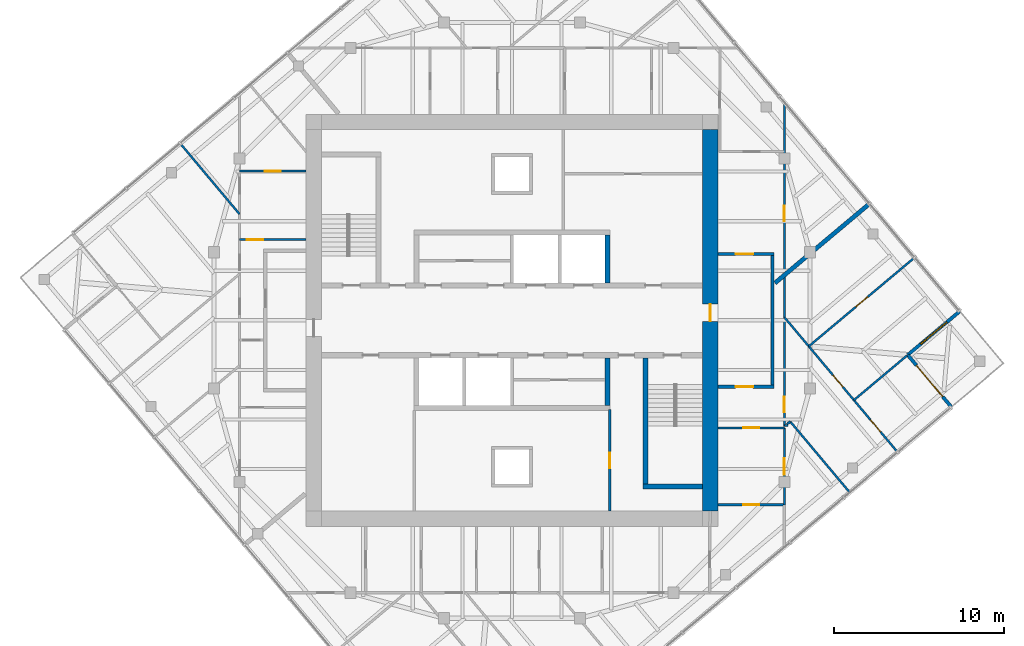
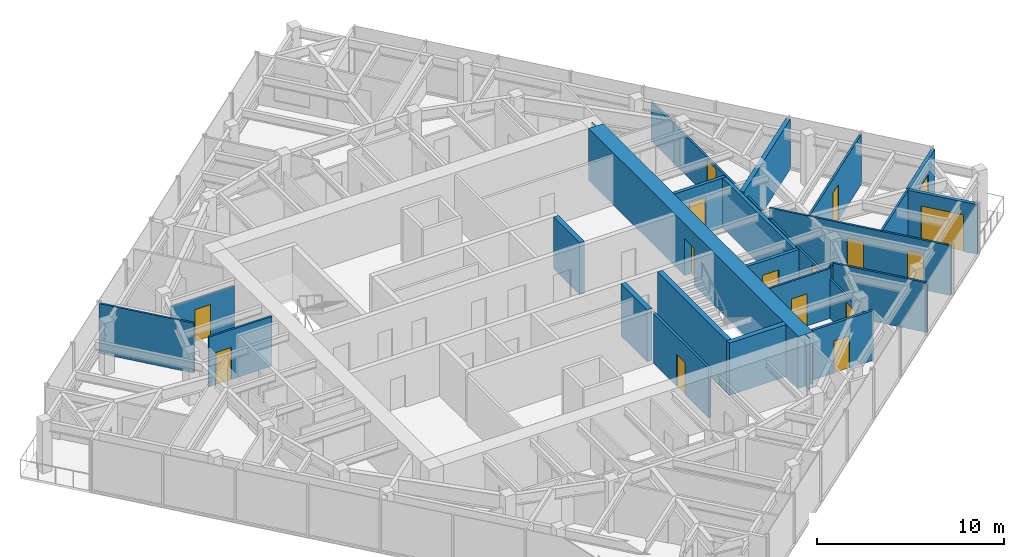
# One storey, part 9 of 12: 25 walls, 15 doors, 1 window, 16 openings.
"""IFC4 building model written with IfcOpenShell, lengths in metres."""

from ifc_helpers import new_model, si_unit, direction, frame, frame_2d, origin, place, context, subcontext, project, spatial, polyline, rectangle, outline, extrude, material, layer, layer_set, type_object, element, fill, save


model = new_model("IFC4")

# Units and contexts
model_context = context("Model", 3, precision=1e-05, world=origin(), true_north=direction((0.0, 1.0)))
body_context = subcontext(model_context, "Body", "Model", "MODEL_VIEW")
ifc_project = project(units=[si_unit("LENGTHUNIT", "METRE"), si_unit("AREAUNIT", "SQUARE_METRE"), si_unit("VOLUMEUNIT", "CUBIC_METRE"), si_unit("PLANEANGLEUNIT", "RADIAN"), si_unit("MASSUNIT", "GRAM", prefix="KILO")], contexts=[model_context])

# Site, building, storey
site_placement = place(None, origin())
site = spatial("IfcSite", under=ifc_project, at=site_placement, CompositionType="ELEMENT")
building_placement = place(site_placement, origin())
building = spatial("IfcBuilding", under=site, at=building_placement, Name="Torsade Residences", CompositionType="ELEMENT")
storey_placement = place(building_placement, frame((0.0, 0.0, 286.199951171875)))
storey = spatial("IfcBuildingStorey", under=building, at=storey_placement, Name="L79", CompositionType="ELEMENT", Elevation=286.199951171875)

# Walls
ifc_material_1 = material(Name="Concrete 80 MPa", Category="concrete")
ifc_layer_1 = layer(ifc_material_1, 0.300048828125)
ifc_layer_set_1 = layer_set([ifc_layer_1], Name="Concrete 80 MPa")
wall_type_1 = type_object("IfcWallType", Name="CORE INTERNAL WALL 300", PredefinedType="SHEAR", material=ifc_layer_set_1)
for number, where, z_axis, x_axis, name in (
    (1, (45.60009765625, 27.800048828125, 0.0), (0.0, 0.0, 1.0), (0.0, -1.0, 0.0), "Core wall DS0 L79"),
    (2, (45.60009765625, 32.199951171875, 0.0), (0.0, 0.0, 1.0), (0.0, 1.0, 0.0), "Core wall DN4 L79"),
):
    element("IfcWall", number, at=place(storey_placement, frame(where, z_axis=z_axis, x_axis=x_axis)), inside=storey, type_object=wall_type_1, Name=name, PredefinedType="SHEAR", context=body_context, shape_type="SweptSolid", body=[
        extrude(rectangle(XDim=2.800048828125, YDim=0.300048828125, at=frame_2d((1.39990234375, 0.0))), origin(), (0.0, 0.0, 1.0), 3.400146484375),
    ])
wall_1_placement = place(storey_placement, frame((47.85009765625, 27.800048828125, 0.0), z_axis=(0.0, 0.0, 1.0), x_axis=(0.0, -1.0, 0.0)))
element("IfcWall", 3, at=wall_1_placement, inside=storey, type_object=wall_type_1, Name="Core wall ST2W L79", PredefinedType="SHEAR", context=body_context, shape_type="SweptSolid", body=[
    extrude(rectangle(XDim=7.699951171875, YDim=0.300048828125, at=frame_2d((3.85009765625, 0.0))), origin(), (0.0, 0.0, 1.0), 3.400146484375),
])
wall_2_placement = place(storey_placement, frame((51.199951171875, 20.25, 0.0), z_axis=(0.0, 0.0, 1.0), x_axis=(-1.0, 0.0, 0.0)))
element("IfcWall", 4, at=wall_2_placement, inside=storey, type_object=wall_type_1, Name="Core wall ST2S L79", PredefinedType="SHEAR", context=body_context, shape_type="SweptSolid", body=[
    extrude(rectangle(XDim=3.5, YDim=0.300048828125, at=frame_2d((1.75, 0.0))), origin(), (0.0, 0.0, 1.0), 3.400146484375),
])

# Wall, opening, door
ifc_material_2 = material(Name="Concrete 80 MPa", Category="concrete")
ifc_layer_2 = layer(ifc_material_2, 0.89990234375)
ifc_layer_set_2 = layer_set([ifc_layer_2], Name="Concrete 80 MPa")
wall_type_2 = type_object("IfcWallType", Name="CORE WALL 900", PredefinedType="SHEAR", material=ifc_layer_set_2)
wall_3_placement = place(storey_placement, frame((51.64990234375, 18.800048828125, 0.0), z_axis=(0.0, 0.0, 1.0), x_axis=(0.0, 1.0, 0.0)))
wall_3 = element("IfcWall", 5, at=wall_3_placement, inside=storey, type_object=wall_type_2, Name="Core wall E L79", PredefinedType="SHEAR", context=body_context, shape_type="SweptSolid", body=[
    extrude(outline(polyline([(0.0, -0.449951171875), (22.39990234375, -0.449951171875), (22.39990234375, -0.02490234375), (22.849853515625, -0.02490234375), (22.849853515625, 0.02490234375), (22.39990234375, 0.02490234375), (22.39990234375, 0.449951171875), (0.0, 0.449951171875), (0.0, 0.02490234375), (-0.449951171875, 0.02490234375), (-0.449951171875, -0.02490234375), (0.0, -0.02490234375), (0.0, -0.449951171875)])), origin(), (0.0, 0.0, 1.0), 3.400146484375),
])
opening_1_placement = place(wall_3_placement, frame((11.139892578125, 0.0, 0.0)))
opening_1 = element("IfcOpeningElement", 6, at=opening_1_placement, cuts=wall_3, Name="Opening D04", PredefinedType="OPENING", context=body_context, shape_type="SweptSolid", body=[
    extrude(rectangle(XDim=1.02001953125, YDim=2.39990234375, at=frame_2d((0.510009765625, 1.199951171875))), frame((0.0, 0.4599609375, 0.0), z_axis=(0.0, -1.0, 0.0), x_axis=(1.0, 0.0, 0.0)), (0.0, 0.0, 1.0), 0.919921875),
])
ifc_material_3 = material(Name="Steel-framed fire door", Category="steel")
door_type_1 = type_object("IfcDoorType", Name="LOBBY SMOKE DOOR 1020x2400", OperationType="NOTDEFINED", PredefinedType="DOOR", material=ifc_material_3)
door_1_placement = place(opening_1_placement, origin())
door_1 = element("IfcDoor", 7, at=door_1_placement, inside=storey, type_object=door_type_1, Name="Lift lobby door E L79", OperationType="SINGLE_SWING_LEFT", OverallHeight=2.39990234375, OverallWidth=1.02001953125, PredefinedType="DOOR", context=body_context, shape_type="SweptSolid", body=[
    extrude(rectangle(XDim=1.02001953125, YDim=2.39990234375, at=frame_2d((0.510009765625, 1.199951171875))), frame((0.0, 0.02490234375, 0.0), z_axis=(0.0, -1.0, 0.0), x_axis=(1.0, 0.0, 0.0)), (0.0, 0.0, 1.0), 0.050048828125),
])
fill(opening_1, door_1)

# Wall
ifc_material_4 = material(Name="Plasterboard on steel stud", Category="steel")
ifc_layer_3 = layer(ifc_material_4, 0.199951171875)
ifc_layer_set_3 = layer_set([ifc_layer_3], Name="Plasterboard on steel stud")
wall_type_3 = type_object("IfcWallType", Name="CORRIDOR WALL 200", PredefinedType="PARTITIONING", material=ifc_layer_set_3)
wall_4_placement = place(storey_placement, frame((55.300048828125, 26.10009765625, 0.0), z_axis=(0.0, 0.0, 1.0), x_axis=(0.0, 1.0, 0.0)))
element("IfcWall", 8, at=wall_4_placement, inside=storey, type_object=wall_type_3, Name="Corridor wall L79", PredefinedType="PARTITIONING", context=body_context, shape_type="SweptSolid", body=[
    extrude(rectangle(XDim=7.7998046875, YDim=0.199951171875, at=frame_2d((3.89990234375, 0.0))), origin(), (0.0, 0.0, 1.0), 3.25),
])

# Wall, opening, door
wall_5_placement = place(storey_placement, frame((52.10009765625, 33.89990234375, 0.0), z_axis=(0.0, 0.0, 1.0), x_axis=(1.0, 0.0, 0.0)))
wall_5 = element("IfcWall", 9, at=wall_5_placement, inside=storey, type_object=wall_type_3, Name="Corridor wall L79", PredefinedType="PARTITIONING", context=body_context, shape_type="SweptSolid", body=[
    extrude(rectangle(XDim=3.2998046875, YDim=0.199951171875, at=frame_2d((1.64990234375, 0.0))), origin(), (0.0, 0.0, 1.0), 3.25),
])
opening_2_placement = place(wall_5_placement, frame((1.0400390625, 0.0, 0.0)))
opening_2 = element("IfcOpeningElement", 10, at=opening_2_placement, cuts=wall_5, Name="Opening D01", PredefinedType="OPENING", context=body_context, shape_type="SweptSolid", body=[
    extrude(rectangle(XDim=1.02001953125, YDim=2.340087890625, at=frame_2d((0.510009765625, 1.169921875))), frame((0.0, 0.10986328125, 0.0), z_axis=(0.0, -1.0, 0.0), x_axis=(1.0, 0.0, 0.0)), (0.0, 0.0, 1.0), 0.219970703125),
])
ifc_material_5 = material(Name="Solid-core timber fire door", Category="wood")
door_type_2 = type_object("IfcDoorType", Name="APARTMENT ENTRY DOOR 1020x2340", OperationType="NOTDEFINED", PredefinedType="DOOR", material=ifc_material_5)
door_2_placement = place(opening_2_placement, origin())
door_2 = element("IfcDoor", 11, at=door_2_placement, inside=storey, type_object=door_type_2, Name="Door Residential corridor to Kitchen and dining", OperationType="SINGLE_SWING_LEFT", OverallHeight=2.340087890625, OverallWidth=1.02001953125, PredefinedType="DOOR", context=body_context, shape_type="SweptSolid", body=[
    extrude(rectangle(XDim=1.02001953125, YDim=2.340087890625, at=frame_2d((0.510009765625, 1.169921875))), frame((0.0, 0.02490234375, 0.0), z_axis=(0.0, -1.0, 0.0), x_axis=(1.0, 0.0, 0.0)), (0.0, 0.0, 1.0), 0.050048828125),
])
fill(opening_2, door_2)

wall_6_placement = place(storey_placement, frame((52.10009765625, 26.10009765625, 0.0), z_axis=(0.0, 0.0, 1.0), x_axis=(1.0, 0.0, 0.0)))
wall_6 = element("IfcWall", 12, at=wall_6_placement, inside=storey, type_object=wall_type_3, Name="Corridor wall L79", PredefinedType="PARTITIONING", context=body_context, shape_type="SweptSolid", body=[
    extrude(rectangle(XDim=3.2998046875, YDim=0.199951171875, at=frame_2d((1.64990234375, 0.0))), origin(), (0.0, 0.0, 1.0), 3.25),
])
opening_3_placement = place(wall_6_placement, frame((1.0400390625, 0.0, 0.0)))
opening_3 = element("IfcOpeningElement", 13, at=opening_3_placement, cuts=wall_6, Name="Opening D01", PredefinedType="OPENING", context=body_context, shape_type="SweptSolid", body=[
    extrude(rectangle(XDim=1.02001953125, YDim=2.340087890625, at=frame_2d((0.510009765625, 1.169921875))), frame((0.0, 0.10986328125, 0.0), z_axis=(0.0, -1.0, 0.0), x_axis=(1.0, 0.0, 0.0)), (0.0, 0.0, 1.0), 0.219970703125),
])
door_3_placement = place(opening_3_placement, origin())
door_3 = element("IfcDoor", 14, at=door_3_placement, inside=storey, type_object=door_type_2, Name="Door Residential corridor to Kitchen and dining", OperationType="SINGLE_SWING_LEFT", OverallHeight=2.340087890625, OverallWidth=1.02001953125, PredefinedType="DOOR", context=body_context, shape_type="SweptSolid", body=[
    extrude(rectangle(XDim=1.02001953125, YDim=2.340087890625, at=frame_2d((0.510009765625, 1.169921875))), frame((0.0, 0.02490234375, 0.0), z_axis=(0.0, -1.0, 0.0), x_axis=(1.0, 0.0, 0.0)), (0.0, 0.0, 1.0), 0.050048828125),
])
fill(opening_3, door_3)

ifc_material_6 = material(Name="Plasterboard on steel stud", Category="steel")
ifc_layer_4 = layer(ifc_material_6, 0.1201171875)
ifc_layer_set_4 = layer_set([ifc_layer_4], Name="Plasterboard on steel stud")
wall_type_4 = type_object("IfcWallType", Name="PARTITION 120", PredefinedType="PARTITIONING", material=ifc_layer_set_4)
wall_7_placement = place(storey_placement, frame((56.0, 23.68115234375, 0.0), z_axis=(0.0, 0.0, 1.0), x_axis=(-1.0, 0.0, 0.0)))
wall_7 = element("IfcWall", 15, at=wall_7_placement, inside=storey, type_object=wall_type_4, Name="Partition L79", PredefinedType="PARTITIONING", context=body_context, shape_type="SweptSolid", body=[
    extrude(rectangle(XDim=3.89990234375, YDim=0.1201171875, at=frame_2d((1.949951171875, 0.0))), origin(), (0.0, 0.0, 1.0), 3.25),
])
opening_4_placement = place(wall_7_placement, frame((1.469970703125, 0.0, 0.0)))
opening_4 = element("IfcOpeningElement", 16, at=opening_4_placement, cuts=wall_7, Name="Opening D05", PredefinedType="OPENING", context=body_context, shape_type="SweptSolid", body=[
    extrude(rectangle(XDim=0.9599609375, YDim=2.10009765625, at=frame_2d((0.47998046875, 1.050048828125))), frame((0.0, 0.070068359375, 0.0), z_axis=(0.0, -1.0, 0.0), x_axis=(1.0, 0.0, 0.0)), (0.0, 0.0, 1.0), 0.14013671875),
])
ifc_material_7 = material(Name="Hollow-core timber door in a steel cavity frame", Category="steel")
door_type_3 = type_object("IfcDoorType", Name="BATHROOM CAVITY SLIDING DOOR 960", OperationType="SLIDING_TO_LEFT", PredefinedType="DOOR", material=ifc_material_7)
door_4_placement = place(opening_4_placement, origin())
door_4 = element("IfcDoor", 17, at=door_4_placement, inside=storey, type_object=door_type_3, Name="Door Kitchen and dining to Laundry", OperationType="SLIDING_TO_LEFT", OverallHeight=2.10009765625, OverallWidth=0.9599609375, PredefinedType="DOOR", context=body_context, shape_type="SweptSolid", body=[
    extrude(rectangle(XDim=0.9599609375, YDim=2.10009765625, at=frame_2d((0.47998046875, 1.050048828125))), frame((0.0, 0.02490234375, 0.0), z_axis=(0.0, -1.0, 0.0), x_axis=(1.0, 0.0, 0.0)), (0.0, 0.0, 1.0), 0.050048828125),
])
fill(opening_4, door_4)

# Wall, openings, doors
wall_8_placement = place(storey_placement, frame((56.0, 42.761962890625, 0.0), z_axis=(0.0, 0.0, 1.0), x_axis=(0.0, -1.0, 0.0)))
wall_8 = element("IfcWall", 18, at=wall_8_placement, inside=storey, type_object=wall_type_4, Name="Partition L79", PredefinedType="PARTITIONING", context=body_context, shape_type="SweptSolid", body=[
    extrude(rectangle(XDim=18.995361328125, YDim=0.1201171875, at=frame_2d((9.49755859375, 0.0))), origin(), (0.0, 0.0, 1.0), 2.550048828125),
])
opening_5_placement = place(wall_8_placement, frame((17.23779296875, 0.0, 0.0)))
opening_5 = element("IfcOpeningElement", 19, at=opening_5_placement, cuts=wall_8, Name="Opening D02", PredefinedType="OPENING", context=body_context, shape_type="SweptSolid", body=[
    extrude(rectangle(XDim=0.919921875, YDim=2.340087890625, at=frame_2d((0.4599609375, 1.169921875))), frame((0.0, 0.070068359375, 0.0), z_axis=(0.0, -1.0, 0.0), x_axis=(1.0, 0.0, 0.0)), (0.0, 0.0, 1.0), 0.14013671875),
])
opening_6_placement = place(wall_8_placement, frame((6.01708984375, 0.0, 0.0)))
opening_6 = element("IfcOpeningElement", 20, at=opening_6_placement, cuts=wall_8, Name="Opening D02", PredefinedType="OPENING", context=body_context, shape_type="SweptSolid", body=[
    extrude(rectangle(XDim=0.919921875, YDim=2.340087890625, at=frame_2d((0.4599609375, 1.169921875))), frame((0.0, 0.070068359375, 0.0), z_axis=(0.0, -1.0, 0.0), x_axis=(1.0, 0.0, 0.0)), (0.0, 0.0, 1.0), 0.14013671875),
])
ifc_material_8 = material(Name="Hollow-core timber door", Category="wood")
door_type_4 = type_object("IfcDoorType", Name="INTERNAL DOOR 920x2340", OperationType="NOTDEFINED", PredefinedType="DOOR", material=ifc_material_8)
door_5_placement = place(opening_5_placement, origin())
door_5 = element("IfcDoor", 21, at=door_5_placement, inside=storey, type_object=door_type_4, Name="Door Kitchen and dining to Bedroom 3", OperationType="SINGLE_SWING_RIGHT", OverallHeight=2.340087890625, OverallWidth=0.919921875, PredefinedType="DOOR", context=body_context, shape_type="SweptSolid", body=[
    extrude(rectangle(XDim=0.919921875, YDim=2.340087890625, at=frame_2d((0.4599609375, 1.169921875))), frame((0.0, 0.02490234375, 0.0), z_axis=(0.0, -1.0, 0.0), x_axis=(1.0, 0.0, 0.0)), (0.0, 0.0, 1.0), 0.050048828125),
])
fill(opening_5, door_5)
door_6_placement = place(opening_6_placement, origin())
door_6 = element("IfcDoor", 22, at=door_6_placement, inside=storey, type_object=door_type_4, Name="Door Kitchen and dining to Bedroom 3", OperationType="SINGLE_SWING_LEFT", OverallHeight=2.340087890625, OverallWidth=0.919921875, PredefinedType="DOOR", context=body_context, shape_type="SweptSolid", body=[
    extrude(rectangle(XDim=0.919921875, YDim=2.340087890625, at=frame_2d((0.4599609375, 1.169921875))), frame((0.0, 0.02490234375, 0.0), z_axis=(0.0, -1.0, 0.0), x_axis=(1.0, 0.0, 0.0)), (0.0, 0.0, 1.0), 0.050048828125),
])
fill(opening_6, door_6)

# Wall, opening, door
wall_9_placement = place(storey_placement, frame((56.0, 23.68115234375, 0.0), z_axis=(0.0, 0.0, 1.0), x_axis=(0.0, -1.0, 0.0)))
wall_9 = element("IfcWall", 23, at=wall_9_placement, inside=storey, type_object=wall_type_4, Name="Partition L79", PredefinedType="PARTITIONING", context=body_context, shape_type="SweptSolid", body=[
    extrude(rectangle(XDim=4.519287109375, YDim=0.1201171875, at=frame_2d((2.259765625, 0.0))), origin(), (0.0, 0.0, 1.0), 2.550048828125),
])
opening_7_placement = place(wall_9_placement, frame((1.779541015625, 0.0, 0.0)))
opening_7 = element("IfcOpeningElement", 24, at=opening_7_placement, cuts=wall_9, Name="Opening D05", PredefinedType="OPENING", context=body_context, shape_type="SweptSolid", body=[
    extrude(rectangle(XDim=0.9599609375, YDim=2.10009765625, at=frame_2d((0.47998046875, 1.050048828125))), frame((0.0, 0.070068359375, 0.0), z_axis=(0.0, -1.0, 0.0), x_axis=(1.0, 0.0, 0.0)), (0.0, 0.0, 1.0), 0.14013671875),
])
door_7_placement = place(opening_7_placement, origin())
door_7 = element("IfcDoor", 25, at=door_7_placement, inside=storey, type_object=door_type_3, Name="Door Laundry to Dining room", OperationType="SLIDING_TO_LEFT", OverallHeight=2.10009765625, OverallWidth=0.9599609375, PredefinedType="DOOR", context=body_context, shape_type="SweptSolid", body=[
    extrude(rectangle(XDim=0.9599609375, YDim=2.10009765625, at=frame_2d((0.47998046875, 1.050048828125))), frame((0.0, 0.02490234375, 0.0), z_axis=(0.0, -1.0, 0.0), x_axis=(1.0, 0.0, 0.0)), (0.0, 0.0, 1.0), 0.050048828125),
])
fill(opening_7, door_7)

# Wall, openings, doors
wall_10_placement = place(storey_placement, frame((62.631103515625, 22.28125, 0.0), z_axis=(0.0, 0.0, 1.0), x_axis=(-0.64277851249, 0.766052076481, 0.0)))
wall_10 = element("IfcWall", 26, at=wall_10_placement, inside=storey, type_object=wall_type_4, Name="Partition L79", PredefinedType="PARTITIONING", context=body_context, shape_type="SweptSolid", body=[
    extrude(rectangle(XDim=10.31640625, YDim=0.1201171875, at=frame_2d((5.158203125, 0.0))), origin(), (0.0, 0.0, 1.0), 3.25),
])
opening_8_placement = place(wall_10_placement, frame((4.96240234375, 0.0, 0.0)))
opening_8 = element("IfcOpeningElement", 27, at=opening_8_placement, cuts=wall_10, Name="Opening D02", PredefinedType="OPENING", context=body_context, shape_type="SweptSolid", body=[
    extrude(rectangle(XDim=0.919921875, YDim=2.340087890625, at=frame_2d((0.4599609375, 1.169921875))), frame((0.0, 0.070068359375, 0.0), z_axis=(0.0, -1.0, 0.0), x_axis=(1.0, 0.0, 0.0)), (0.0, 0.0, 1.0), 0.14013671875),
])
opening_9_placement = place(wall_10_placement, frame((1.52490234375, 0.0, 0.0)))
opening_9 = element("IfcOpeningElement", 28, at=opening_9_placement, cuts=wall_10, Name="Opening D02", PredefinedType="OPENING", context=body_context, shape_type="SweptSolid", body=[
    extrude(rectangle(XDim=0.919921875, YDim=2.340087890625, at=frame_2d((0.4599609375, 1.169921875))), frame((0.0, 0.070068359375, 0.0), z_axis=(0.0, -1.0, 0.0), x_axis=(1.0, 0.0, 0.0)), (0.0, 0.0, 1.0), 0.14013671875),
])
door_8_placement = place(opening_8_placement, origin())
door_8 = element("IfcDoor", 29, at=door_8_placement, inside=storey, type_object=door_type_4, Name="Door Bedroom 3 to Bedroom 2", OperationType="SINGLE_SWING_LEFT", OverallHeight=2.340087890625, OverallWidth=0.919921875, PredefinedType="DOOR", context=body_context, shape_type="SweptSolid", body=[
    extrude(rectangle(XDim=0.919921875, YDim=2.340087890625, at=frame_2d((0.4599609375, 1.169921875))), frame((0.0, 0.02490234375, 0.0), z_axis=(0.0, -1.0, 0.0), x_axis=(1.0, 0.0, 0.0)), (0.0, 0.0, 1.0), 0.050048828125),
])
fill(opening_8, door_8)
door_9_placement = place(opening_9_placement, origin())
door_9 = element("IfcDoor", 30, at=door_9_placement, inside=storey, type_object=door_type_4, Name="Door Bedroom 3 to Family room", OperationType="SINGLE_SWING_RIGHT", OverallHeight=2.340087890625, OverallWidth=0.919921875, PredefinedType="DOOR", context=body_context, shape_type="SweptSolid", body=[
    extrude(rectangle(XDim=0.919921875, YDim=2.340087890625, at=frame_2d((0.4599609375, 1.169921875))), frame((0.0, 0.02490234375, 0.0), z_axis=(0.0, -1.0, 0.0), x_axis=(1.0, 0.0, 0.0)), (0.0, 0.0, 1.0), 0.050048828125),
])
fill(opening_9, door_9)

# Wall, opening, door
wall_11_placement = place(storey_placement, frame((57.434326171875, 28.474609375, 0.0), z_axis=(0.0, 0.0, 1.0), x_axis=(0.766033729027, 0.642800378028, 0.0)))
wall_11 = element("IfcWall", 31, at=wall_11_placement, inside=storey, type_object=wall_type_4, Name="Partition L79", PredefinedType="PARTITIONING", context=body_context, shape_type="SweptSolid", body=[
    extrude(rectangle(XDim=8.0849609375, YDim=0.1201171875, at=frame_2d((4.04248046875, 0.0))), origin(), (0.0, 0.0, 1.0), 3.25),
])
opening_10_placement = place(wall_11_placement, frame((3.6025390625, 0.0, 0.0)))
opening_10 = element("IfcOpeningElement", 32, at=opening_10_placement, cuts=wall_11, Name="Opening D02", PredefinedType="OPENING", context=body_context, shape_type="SweptSolid", body=[
    extrude(rectangle(XDim=0.919921875, YDim=2.340087890625, at=frame_2d((0.4599609375, 1.169921875))), frame((0.0, 0.070068359375, 0.0), z_axis=(0.0, -1.0, 0.0), x_axis=(1.0, 0.0, 0.0)), (0.0, 0.0, 1.0), 0.14013671875),
])
door_10_placement = place(opening_10_placement, origin())
door_10 = element("IfcDoor", 33, at=door_10_placement, inside=storey, type_object=door_type_4, Name="Door Bedroom 2 to Bedroom 4", OperationType="SINGLE_SWING_LEFT", OverallHeight=2.340087890625, OverallWidth=0.919921875, PredefinedType="DOOR", context=body_context, shape_type="SweptSolid", body=[
    extrude(rectangle(XDim=0.919921875, YDim=2.340087890625, at=frame_2d((0.4599609375, 1.169921875))), frame((0.0, 0.02490234375, 0.0), z_axis=(0.0, -1.0, 0.0), x_axis=(1.0, 0.0, 0.0)), (0.0, 0.0, 1.0), 0.050048828125),
])
fill(opening_10, door_10)

# Walls
wall_12_placement = place(storey_placement, frame((63.215087890625, 27.9404296875, 0.0), z_axis=(0.0, 0.0, 1.0), x_axis=(-0.766036790562, -0.642796729538, 0.0)))
element("IfcWall", 34, at=wall_12_placement, inside=storey, type_object=wall_type_4, Name="Partition L79", PredefinedType="PARTITIONING", context=body_context, shape_type="SweptSolid", body=[
    extrude(rectangle(XDim=4.0849609375, YDim=0.1201171875, at=frame_2d((2.04248046875, 0.0))), origin(), (0.0, 0.0, 1.0), 3.25),
])
wall_13_placement = place(storey_placement, frame((59.81591796875, 19.9189453125, 0.0), z_axis=(0.0, 0.0, 1.0), x_axis=(-0.642773197476, 0.766056536168, 0.0)))
element("IfcWall", 35, at=wall_13_placement, inside=storey, type_object=wall_type_4, Name="Partition L79", PredefinedType="PARTITIONING", context=body_context, shape_type="SweptSolid", body=[
    extrude(rectangle(XDim=5.400390625, YDim=0.1201171875, at=frame_2d((2.7001953125, 0.0))), origin(), (0.0, 0.0, 1.0), 3.25),
])
wall_14_placement = place(storey_placement, frame((56.3447265625, 24.055908203125, 0.0), z_axis=(0.0, 0.0, 1.0), x_axis=(-0.766260492227, -0.642530044474, 0.0)))
element("IfcWall", 36, at=wall_14_placement, inside=storey, type_object=wall_type_4, Name="Partition L79", PredefinedType="PARTITIONING", context=body_context, shape_type="SweptSolid", body=[
    extrude(rectangle(XDim=0.224853515625, YDim=0.1201171875, at=frame_2d((0.1123046875, 0.0))), origin(), (0.0, 0.0, 1.0), 3.25),
])
wall_15_placement = place(storey_placement, frame((56.206787109375, 23.816650390625, 0.0), z_axis=(0.0, 0.0, 1.0), x_axis=(-1.0, 0.0, 0.0)))
element("IfcWall", 37, at=wall_15_placement, inside=storey, type_object=wall_type_4, Name="Partition L79", PredefinedType="PARTITIONING", context=body_context, shape_type="SweptSolid", body=[
    extrude(rectangle(XDim=0.206787109375, YDim=0.1201171875, at=frame_2d((0.103515625, 0.0))), origin(), (0.0, 0.0, 1.0), 3.25),
])

# Wall, opening, door
wall_16_placement = place(storey_placement, frame((24.0, 34.742431640625, 0.0), z_axis=(0.0, 0.0, 1.0), x_axis=(1.0, 0.0, 0.0)))
wall_16 = element("IfcWall", 38, at=wall_16_placement, inside=storey, type_object=wall_type_4, Name="Partition L79", PredefinedType="PARTITIONING", context=body_context, shape_type="SweptSolid", body=[
    extrude(rectangle(XDim=3.89990234375, YDim=0.1201171875, at=frame_2d((1.949951171875, 0.0))), origin(), (0.0, 0.0, 1.0), 3.25),
])
opening_11_placement = place(wall_16_placement, frame((0.419921875, 0.0, 0.0)))
opening_11 = element("IfcOpeningElement", 39, at=opening_11_placement, cuts=wall_16, Name="Opening D05", PredefinedType="OPENING", context=body_context, shape_type="SweptSolid", body=[
    extrude(rectangle(XDim=0.9599609375, YDim=2.10009765625, at=frame_2d((0.47998046875, 1.050048828125))), frame((0.0, 0.070068359375, 0.0), z_axis=(0.0, -1.0, 0.0), x_axis=(1.0, 0.0, 0.0)), (0.0, 0.0, 1.0), 0.14013671875),
])
door_11_placement = place(opening_11_placement, origin())
door_11 = element("IfcDoor", 40, at=door_11_placement, inside=storey, type_object=door_type_3, Name="Door Kitchen and dining to Laundry", OperationType="SLIDING_TO_LEFT", OverallHeight=2.10009765625, OverallWidth=0.9599609375, PredefinedType="DOOR", context=body_context, shape_type="SweptSolid", body=[
    extrude(rectangle(XDim=0.9599609375, YDim=2.10009765625, at=frame_2d((0.47998046875, 1.050048828125))), frame((0.0, 0.02490234375, 0.0), z_axis=(0.0, -1.0, 0.0), x_axis=(1.0, 0.0, 0.0)), (0.0, 0.0, 1.0), 0.050048828125),
])
fill(opening_11, door_11)

wall_17_placement = place(storey_placement, frame((27.89990234375, 38.762451171875, 0.0), z_axis=(0.0, 0.0, 1.0), x_axis=(-1.0, 0.0, 0.0)))
wall_17 = element("IfcWall", 41, at=wall_17_placement, inside=storey, type_object=wall_type_4, Name="Partition L79", PredefinedType="PARTITIONING", context=body_context, shape_type="SweptSolid", body=[
    extrude(rectangle(XDim=3.89990234375, YDim=0.1201171875, at=frame_2d((1.949951171875, 0.0))), origin(), (0.0, 0.0, 1.0), 2.796142578125),
])
opening_12_placement = place(wall_17_placement, frame((1.469970703125, 0.0, 0.0)))
opening_12 = element("IfcOpeningElement", 42, at=opening_12_placement, cuts=wall_17, Name="Opening D05", PredefinedType="OPENING", context=body_context, shape_type="SweptSolid", body=[
    extrude(rectangle(XDim=0.9599609375, YDim=2.10009765625, at=frame_2d((0.47998046875, 1.050048828125))), frame((0.0, 0.070068359375, 0.0), z_axis=(0.0, -1.0, 0.0), x_axis=(1.0, 0.0, 0.0)), (0.0, 0.0, 1.0), 0.14013671875),
])
door_12_placement = place(opening_12_placement, origin())
door_12 = element("IfcDoor", 43, at=door_12_placement, inside=storey, type_object=door_type_3, Name="Door Laundry to Dressing room", OperationType="SLIDING_TO_LEFT", OverallHeight=2.10009765625, OverallWidth=0.9599609375, PredefinedType="DOOR", context=body_context, shape_type="SweptSolid", body=[
    extrude(rectangle(XDim=0.9599609375, YDim=2.10009765625, at=frame_2d((0.47998046875, 1.050048828125))), frame((0.0, 0.02490234375, 0.0), z_axis=(0.0, -1.0, 0.0), x_axis=(1.0, 0.0, 0.0)), (0.0, 0.0, 1.0), 0.050048828125),
])
fill(opening_12, door_12)

# Walls
wall_18_placement = place(storey_placement, frame((20.528564453125, 40.370361328125, 0.0), z_axis=(0.0, 0.0, 1.0), x_axis=(0.642799726543, -0.766034275706, 0.0)))
element("IfcWall", 44, at=wall_18_placement, inside=storey, type_object=wall_type_4, Name="Partition L79", PredefinedType="PARTITIONING", context=body_context, shape_type="SweptSolid", body=[
    extrude(rectangle(XDim=5.400390625, YDim=0.1201171875, at=frame_2d((2.7001953125, 0.0))), origin(), (0.0, 0.0, 1.0), 3.25),
])
ifc_material_9 = material(Name="Masonry-lined stud party wall", Category="masonry")
ifc_layer_5 = layer(ifc_material_9, 0.25)
ifc_layer_set_5 = layer_set([ifc_layer_5], Name="Masonry-lined stud party wall")
wall_type_5 = type_object("IfcWallType", Name="PARTY WALL 250", PredefinedType="PARTITIONING", material=ifc_layer_set_5)
wall_19_placement = place(storey_placement, frame((61.0068359375, 36.857177734375, 0.0), z_axis=(0.0, 0.0, 1.0), x_axis=(-0.766054150891, -0.642776040237, 0.0)))
element("IfcWall", 45, at=wall_19_placement, inside=storey, type_object=wall_type_5, Name="Party wall L79", PredefinedType="PARTITIONING", context=body_context, shape_type="SweptSolid", body=[
    extrude(rectangle(XDim=7.254150390625, YDim=0.25, at=frame_2d((3.626953125, 0.0))), origin(), (0.0, 0.0, 1.0), 3.25),
])

# Wall, opening, door
ifc_material_10 = material(Name="Reinforced blockwork", Category="masonry")
ifc_layer_6 = layer(ifc_material_10, 0.14990234375)
ifc_layer_set_6 = layer_set([ifc_layer_6], Name="Reinforced blockwork")
wall_type_6 = type_object("IfcWallType", Name="SERVICE ROOM WALL 150", PredefinedType="SOLIDWALL", material=ifc_layer_set_6)
wall_20_placement = place(storey_placement, frame((45.75, 18.800048828125, 0.0), z_axis=(0.0, 0.0, 1.0), x_axis=(0.0, 1.0, 0.0)))
wall_20 = element("IfcWall", 46, at=wall_20_placement, inside=storey, type_object=wall_type_6, Name="Service room wall L79", PredefinedType="SOLIDWALL", context=body_context, shape_type="SweptSolid", body=[
    extrude(rectangle(XDim=5.949951171875, YDim=0.14990234375, at=frame_2d((2.97509765625, 0.0))), origin(), (0.0, 0.0, 1.0), 3.25),
])
opening_13_placement = place(wall_20_placement, frame((2.514892578125, 0.0, 0.0)))
opening_13 = element("IfcOpeningElement", 47, at=opening_13_placement, cuts=wall_20, Name="Opening D06", PredefinedType="OPENING", context=body_context, shape_type="SweptSolid", body=[
    extrude(rectangle(XDim=0.919921875, YDim=2.10009765625, at=frame_2d((0.4599609375, 1.050048828125))), frame((0.0, 0.0849609375, 0.0), z_axis=(0.0, -1.0, 0.0), x_axis=(1.0, 0.0, 0.0)), (0.0, 0.0, 1.0), 0.169921875),
])
ifc_material_11 = material(Name="Steel-framed fire door", Category="steel")
door_type_5 = type_object("IfcDoorType", Name="FIRE DOOR 920", OperationType="NOTDEFINED", PredefinedType="DOOR", material=ifc_material_11)
door_13_placement = place(opening_13_placement, origin())
door_13 = element("IfcDoor", 48, at=door_13_placement, inside=storey, type_object=door_type_5, Name="Door Security and data store to Communications riser room", OperationType="SINGLE_SWING_LEFT", OverallHeight=2.10009765625, OverallWidth=0.919921875, PredefinedType="DOOR", context=body_context, shape_type="SweptSolid", body=[
    extrude(rectangle(XDim=0.919921875, YDim=2.10009765625, at=frame_2d((0.4599609375, 1.050048828125))), frame((0.0, 0.02490234375, 0.0), z_axis=(0.0, -1.0, 0.0), x_axis=(1.0, 0.0, 0.0)), (0.0, 0.0, 1.0), 0.050048828125),
])
fill(opening_13, door_13)

wall_21_placement = place(storey_placement, frame((56.0, 19.161865234375, 0.0), z_axis=(0.0, 0.0, 1.0), x_axis=(-1.0, 0.0, 0.0)))
wall_21 = element("IfcWall", 49, at=wall_21_placement, inside=storey, type_object=wall_type_6, Name="Service room wall L79", PredefinedType="SOLIDWALL", context=body_context, shape_type="SweptSolid", body=[
    extrude(rectangle(XDim=3.89990234375, YDim=0.14990234375, at=frame_2d((1.949951171875, 0.0))), origin(), (0.0, 0.0, 1.0), 3.25),
])
opening_14_placement = place(wall_21_placement, frame((1.469970703125, 0.0, 0.0)))
opening_14 = element("IfcOpeningElement", 50, at=opening_14_placement, cuts=wall_21, Name="Opening D05", PredefinedType="OPENING", context=body_context, shape_type="SweptSolid", body=[
    extrude(rectangle(XDim=0.9599609375, YDim=2.10009765625, at=frame_2d((0.47998046875, 1.050048828125))), frame((0.0, 0.0849609375, 0.0), z_axis=(0.0, -1.0, 0.0), x_axis=(1.0, 0.0, 0.0)), (0.0, 0.0, 1.0), 0.169921875),
])
door_14_placement = place(opening_14_placement, origin())
door_14 = element("IfcDoor", 51, at=door_14_placement, inside=storey, type_object=door_type_3, Name="Door Laundry to Linen store 2", OperationType="SLIDING_TO_LEFT", OverallHeight=2.10009765625, OverallWidth=0.9599609375, PredefinedType="DOOR", context=body_context, shape_type="SweptSolid", body=[
    extrude(rectangle(XDim=0.9599609375, YDim=2.10009765625, at=frame_2d((0.47998046875, 1.050048828125))), frame((0.0, 0.02490234375, 0.0), z_axis=(0.0, -1.0, 0.0), x_axis=(1.0, 0.0, 0.0)), (0.0, 0.0, 1.0), 0.050048828125),
])
fill(opening_14, door_14)

ifc_material_12 = material(Name="Stone-faced precast concrete 40 MPa panel", Category="masonry")
ifc_layer_7 = layer(ifc_material_12, 0.199951171875)
ifc_layer_set_7 = layer_set([ifc_layer_7], Name="Stone-faced precast concrete 40 MPa panel")
wall_type_7 = type_object("IfcWallType", Name="TERRACE WALL 200", PredefinedType="SOLIDWALL", material=ifc_layer_set_7)
wall_22_placement = place(storey_placement, frame((65.81689453125, 24.902099609375, 0.0), z_axis=(0.0, 0.0, 1.0), x_axis=(-0.642768287094, 0.766060656284, 0.0)))
wall_22 = element("IfcWall", 52, at=wall_22_placement, inside=storey, type_object=wall_type_7, Name="Terrace wall L79 2", PredefinedType="SOLIDWALL", context=body_context, shape_type="SweptSolid", body=[
    extrude(rectangle(XDim=4.0, YDim=0.199951171875, at=frame_2d((2.0, 0.0))), origin(), (0.0, 0.0, 1.0), 3.25),
])
opening_15_placement = place(wall_22_placement, frame((0.800048828125, 0.0, 0.0)))
opening_15 = element("IfcOpeningElement", 53, at=opening_15_placement, cuts=wall_22, Name="Opening D10", PredefinedType="OPENING", context=body_context, shape_type="SweptSolid", body=[
    extrude(rectangle(XDim=2.39990234375, YDim=2.39990234375, at=frame_2d((1.199951171875, 1.199951171875))), frame((0.0, 0.10986328125, 0.0), z_axis=(0.0, -1.0, 0.0), x_axis=(1.0, 0.0, 0.0)), (0.0, 0.0, 1.0), 0.219970703125),
])
ifc_material_13 = material(Name="Aluminium-framed glass door", Category="aluminium")
door_type_6 = type_object("IfcDoorType", Name="TERRACE SLIDING DOOR 2400", OperationType="SLIDING_TO_LEFT", PredefinedType="DOOR", material=ifc_material_13)
door_15_placement = place(opening_15_placement, origin())
door_15 = element("IfcDoor", 54, at=door_15_placement, inside=storey, type_object=door_type_6, Name="Terrace door L79 2", OperationType="SLIDING_TO_LEFT", OverallHeight=2.39990234375, OverallWidth=2.39990234375, PredefinedType="DOOR", context=body_context, shape_type="SweptSolid", body=[
    extrude(rectangle(XDim=2.39990234375, YDim=2.39990234375, at=frame_2d((1.199951171875, 1.199951171875))), frame((0.0, 0.02490234375, 0.0), z_axis=(0.0, -1.0, 0.0), x_axis=(1.0, 0.0, 0.0)), (0.0, 0.0, 1.0), 0.050048828125),
])
fill(opening_15, door_15)

# Wall, opening, window
wall_23_placement = place(storey_placement, frame((63.245849609375, 27.96630859375, 0.0), z_axis=(0.0, 0.0, 1.0), x_axis=(0.766035437498, 0.642798342015, 0.0)))
wall_23 = element("IfcWall", 55, at=wall_23_placement, inside=storey, type_object=wall_type_7, Name="Terrace wall L79 3", PredefinedType="SOLIDWALL", context=body_context, shape_type="SweptSolid", body=[
    extrude(rectangle(XDim=3.999755859375, YDim=0.199951171875, at=frame_2d((2.0, 0.0))), origin(), (0.0, 0.0, 1.0), 3.25),
])
opening_16_placement = place(wall_23_placement, frame((1.0, 0.0, 0.449951171875)))
opening_16 = element("IfcOpeningElement", 56, at=opening_16_placement, cuts=wall_23, Name="Opening W1B", PredefinedType="OPENING", context=body_context, shape_type="SweptSolid", body=[
    extrude(rectangle(XDim=2.0, YDim=1.800048828125, at=frame_2d((1.0, 0.89990234375))), frame((0.0, 0.10986328125, 0.0), z_axis=(0.0, -1.0, 0.0), x_axis=(1.0, 0.0, 0.0)), (0.0, 0.0, 1.0), 0.219970703125),
])
ifc_material_14 = material(Name="Aluminium-framed glass window", Category="aluminium")
window_type = type_object("IfcWindowType", Name="TERRACE WINDOW 2000x1800", PartitioningType="SINGLE_PANEL", PredefinedType="WINDOW", material=ifc_material_14)
window_placement = place(opening_16_placement, origin())
window = element("IfcWindow", 57, at=window_placement, inside=storey, type_object=window_type, Name="Terrace window L79 3", OverallHeight=1.800048828125, OverallWidth=2.0, PartitioningType="SINGLE_PANEL", PredefinedType="WINDOW", context=body_context, shape_type="SweptSolid", body=[
    extrude(rectangle(XDim=2.0, YDim=1.800048828125, at=frame_2d((1.0, 0.89990234375))), frame((0.0, 0.030029296875, 0.0), z_axis=(0.0, -1.0, 0.0), x_axis=(1.0, 0.0, 0.0)), (0.0, 0.0, 1.0), 0.06005859375),
])
fill(opening_16, window)

save(model, "model.ifc")
